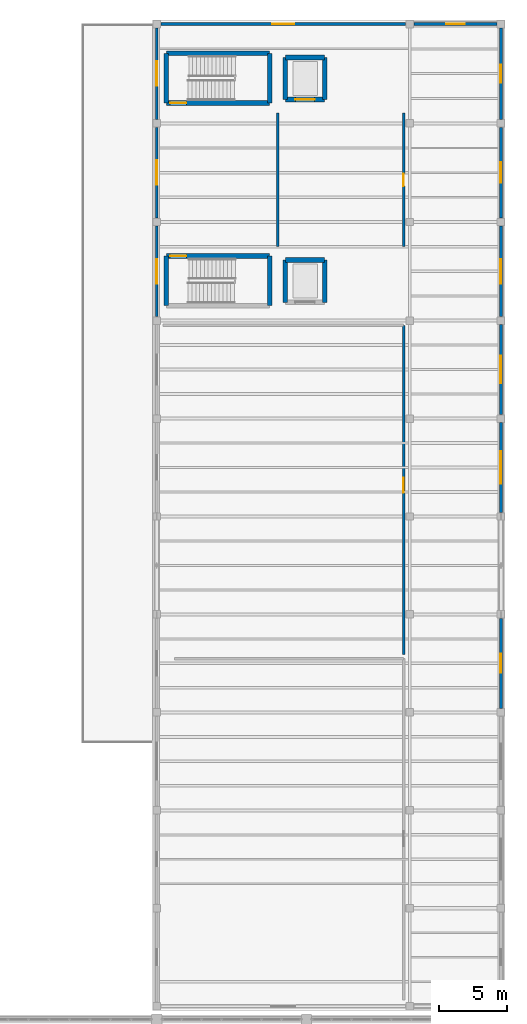
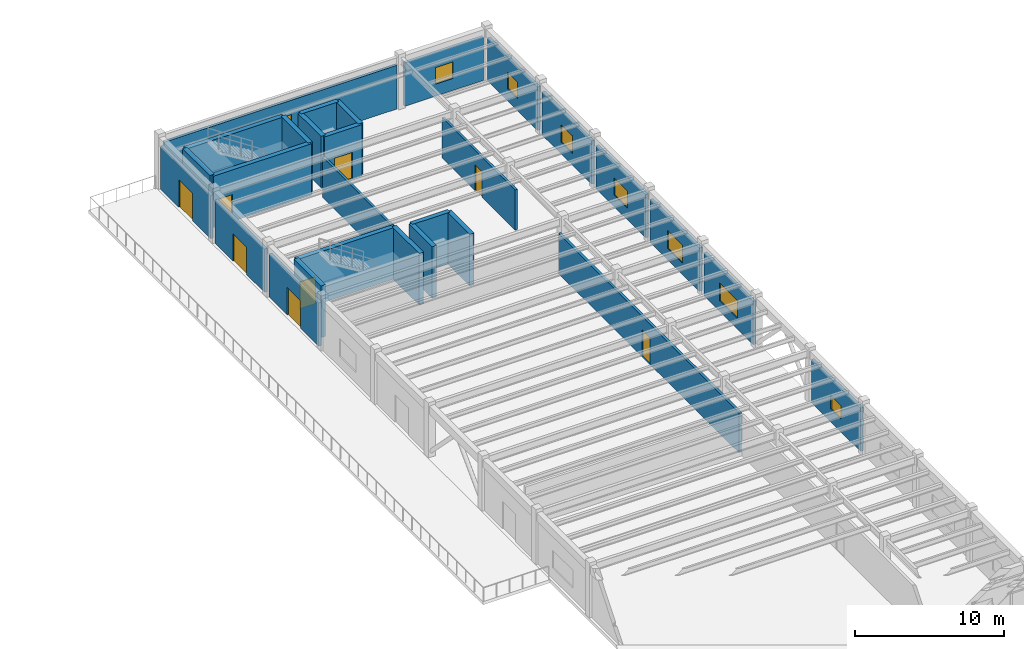
# One storey, part 72 of 85: 28 walls, 8 doors, 8 windows, 16 openings.
"""IFC4 building model written with IfcOpenShell, lengths in metres."""

from ifc_helpers import new_model, si_unit, direction, frame, frame_2d, origin, place, context, subcontext, project, spatial, rectangle, extrude, material, layer, layer_set, type_object, element, fill, save


model = new_model("IFC4")

# Units and contexts
model_context = context("Model", 3, precision=1e-05, world=origin(), true_north=direction((0.0, 1.0)))
body_context = subcontext(model_context, "Body", "Model", "MODEL_VIEW")
ifc_project = project(units=[si_unit("LENGTHUNIT", "METRE"), si_unit("AREAUNIT", "SQUARE_METRE"), si_unit("VOLUMEUNIT", "CUBIC_METRE"), si_unit("PLANEANGLEUNIT", "RADIAN"), si_unit("MASSUNIT", "GRAM", prefix="KILO")], contexts=[model_context])

# Site, building, storey
site_placement = place(None, origin())
site = spatial("IfcSite", under=ifc_project, at=site_placement, CompositionType="ELEMENT")
building_placement = place(site_placement, origin())
building = spatial("IfcBuilding", under=site, at=building_placement, Name="Candilejo Ridge Gondola Terminal", CompositionType="ELEMENT")
storey_placement = place(building_placement, frame((0.0, 0.0, 4.5)))
storey = spatial("IfcBuildingStorey", under=building, at=storey_placement, Name="L01", CompositionType="ELEMENT", Elevation=4.5)

# Wall, opening, window
ifc_material_1 = material(Name="Concrete C20/25 masonry blockwork (f'm 14 MPa)", Category="masonry")
ifc_layer_1 = layer(ifc_material_1, 0.219970703125)
ifc_layer_set_1 = layer_set([ifc_layer_1], Name="ARC-EXT-WALL-220")
wall_type_1 = type_object("IfcWallType", Name="ARC-EXT-WALL-220", PredefinedType="STANDARD", material=ifc_layer_set_1)
wall_1_placement = place(storey_placement, frame((150.300048828125, 120.85009765625, 0.0), z_axis=(0.0, 0.0, 1.0), x_axis=(1.0, 0.0, 0.0)))
wall_1 = element("IfcWall", 1, at=wall_1_placement, inside=storey, type_object=wall_type_1, Name="Exterior facade wall EW-V5-L01-113", PredefinedType="STANDARD", context=body_context, shape_type="SweptSolid", body=[
    extrude(rectangle(XDim=18.0, YDim=0.219970703125, at=frame_2d((9.0, 0.0))), origin(), (0.0, 0.0, 1.0), 3.580078125),
])
opening_1_placement = place(wall_1_placement, frame((8.175048828125, 0.0, 0.949951171875)))
opening_1 = element("IfcOpeningElement", 2, at=opening_1_placement, cuts=wall_1, Name="Opening WN-02C", PredefinedType="OPENING", context=body_context, shape_type="SweptSolid", body=[
    extrude(rectangle(XDim=1.64990234375, YDim=1.449951171875, at=frame_2d((0.824951171875, 0.72509765625))), frame((0.0, 0.119873046875, 0.0), z_axis=(0.0, -1.0, 0.0), x_axis=(1.0, 0.0, 0.0)), (0.0, 0.0, 1.0), 0.239990234375),
])
ifc_material_2 = material(Name="Low-E laminated double glazing 6+12A+6+1.52PVB+6 mm", Category="glass")
window_type_1 = type_object("IfcWindowType", Name="ARC-WIN-1650X1450", PartitioningType="SINGLE_PANEL", PredefinedType="WINDOW", material=ifc_material_2)
window_1_placement = place(opening_1_placement, origin())
window_1 = element("IfcWindow", 3, at=window_1_placement, inside=storey, type_object=window_type_1, Name="Window WIN-055", OverallHeight=1.449951171875, OverallWidth=1.64990234375, PartitioningType="SINGLE_PANEL", PredefinedType="WINDOW", context=body_context, shape_type="SweptSolid", body=[
    extrude(rectangle(XDim=1.64990234375, YDim=1.449951171875, at=frame_2d((0.824951171875, 0.72509765625))), frame((0.0, 0.030029296875, 0.0), z_axis=(0.0, -1.0, 0.0), x_axis=(1.0, 0.0, 0.0)), (0.0, 0.0, 1.0), 0.06005859375),
])
fill(opening_1, window_1)

wall_2_placement = place(storey_placement, frame((168.89990234375, 120.85009765625, 0.0), z_axis=(0.0, 0.0, 1.0), x_axis=(1.0, 0.0, 0.0)))
wall_2 = element("IfcWall", 4, at=wall_2_placement, inside=storey, type_object=wall_type_1, Name="Exterior facade wall EW-V5-L01-116", PredefinedType="STANDARD", context=body_context, shape_type="SweptSolid", body=[
    extrude(rectangle(XDim=6.10009765625, YDim=0.219970703125, at=frame_2d((3.050048828125, 0.0))), origin(), (0.0, 0.0, 1.0), 3.544921875),
])
opening_2_placement = place(wall_2_placement, frame((2.375, 0.0, 0.97998046875)))
opening_2 = element("IfcOpeningElement", 5, at=opening_2_placement, cuts=wall_2, Name="Opening WN-03C", PredefinedType="OPENING", context=body_context, shape_type="SweptSolid", body=[
    extrude(rectangle(XDim=1.35009765625, YDim=1.35009765625, at=frame_2d((0.675048828125, 0.675048828125))), frame((0.0, 0.119873046875, 0.0), z_axis=(0.0, -1.0, 0.0), x_axis=(1.0, 0.0, 0.0)), (0.0, 0.0, 1.0), 0.239990234375),
])
ifc_material_3 = material(Name="Low-E laminated double glazing 6+12A+6+1.52PVB+6 mm", Category="glass")
window_type_2 = type_object("IfcWindowType", Name="ARC-WIN-1350X1350", PartitioningType="SINGLE_PANEL", PredefinedType="WINDOW", material=ifc_material_3)
window_2_placement = place(opening_2_placement, origin())
window_2 = element("IfcWindow", 6, at=window_2_placement, inside=storey, type_object=window_type_2, Name="Window WIN-057", OverallHeight=1.35009765625, OverallWidth=1.35009765625, PartitioningType="SINGLE_PANEL", PredefinedType="WINDOW", context=body_context, shape_type="SweptSolid", body=[
    extrude(rectangle(XDim=1.35009765625, YDim=1.35009765625, at=frame_2d((0.675048828125, 0.675048828125))), frame((0.0, 0.030029296875, 0.0), z_axis=(0.0, -1.0, 0.0), x_axis=(1.0, 0.0, 0.0)), (0.0, 0.0, 1.0), 0.06005859375),
])
fill(opening_2, window_2)

wall_3_placement = place(storey_placement, frame((175.300048828125, 77.14990234375, 0.0), z_axis=(0.0, 0.0, 1.0), x_axis=(0.0, -1.0, 0.0)))
wall_3 = element("IfcWall", 7, at=wall_3_placement, inside=storey, type_object=wall_type_1, Name="Exterior facade wall EW-V5-L01-124", PredefinedType="STANDARD", context=body_context, shape_type="SweptSolid", body=[
    extrude(rectangle(XDim=6.599853515625, YDim=0.219970703125, at=frame_2d((3.2998046875, 0.0))), origin(), (0.0, 0.0, 1.0), 3.544921875),
])
opening_3_placement = place(wall_3_placement, frame((2.60009765625, 0.0, 1.050048828125)))
opening_3 = element("IfcOpeningElement", 8, at=opening_3_placement, cuts=wall_3, Name="Opening WN-05E", PredefinedType="OPENING", context=body_context, shape_type="SweptSolid", body=[
    extrude(rectangle(XDim=1.39990234375, YDim=1.10009765625, at=frame_2d((0.699951171875, 0.550048828125))), frame((0.0, 0.119873046875, 0.0), z_axis=(0.0, -1.0, 0.0), x_axis=(1.0, 0.0, 0.0)), (0.0, 0.0, 1.0), 0.239990234375),
])
ifc_material_4 = material(Name="Low-E laminated double glazing 6+12A+6+1.52PVB+6 mm", Category="glass")
window_type_3 = type_object("IfcWindowType", Name="ARC-WIN-1400X1100", PartitioningType="SINGLE_PANEL", PredefinedType="WINDOW", material=ifc_material_4)
window_3_placement = place(opening_3_placement, origin())
window_3 = element("IfcWindow", 9, at=window_3_placement, inside=storey, type_object=window_type_3, Name="Window WIN-064", OverallHeight=1.10009765625, OverallWidth=1.39990234375, PartitioningType="SINGLE_PANEL", PredefinedType="WINDOW", context=body_context, shape_type="SweptSolid", body=[
    extrude(rectangle(XDim=1.39990234375, YDim=1.10009765625, at=frame_2d((0.699951171875, 0.550048828125))), frame((0.0, 0.030029296875, 0.0), z_axis=(0.0, -1.0, 0.0), x_axis=(1.0, 0.0, 0.0)), (0.0, 0.0, 1.0), 0.06005859375),
])
fill(opening_3, window_3)

wall_4_placement = place(storey_placement, frame((175.300048828125, 91.550048828125, 0.0), z_axis=(0.0, 0.0, 1.0), x_axis=(0.0, -1.0, 0.0)))
wall_4 = element("IfcWall", 10, at=wall_4_placement, inside=storey, type_object=wall_type_1, Name="Exterior facade wall EW-V5-L01-126", PredefinedType="STANDARD", context=body_context, shape_type="SweptSolid", body=[
    extrude(rectangle(XDim=6.60009765625, YDim=0.219970703125, at=frame_2d((3.300048828125, 0.0))), origin(), (0.0, 0.0, 1.0), 3.544921875),
])
opening_4_placement = place(wall_4_placement, frame((2.10009765625, 0.0, 0.8798828125)))
opening_4 = element("IfcOpeningElement", 11, at=opening_4_placement, cuts=wall_4, Name="Opening WN-01", PredefinedType="OPENING", context=body_context, shape_type="SweptSolid", body=[
    extrude(rectangle(XDim=2.39990234375, YDim=1.449951171875, at=frame_2d((1.199951171875, 0.72509765625))), frame((0.0, 0.119873046875, 0.0), z_axis=(0.0, -1.0, 0.0), x_axis=(1.0, 0.0, 0.0)), (0.0, 0.0, 1.0), 0.239990234375),
])
ifc_material_5 = material(Name="Low-E laminated double glazing 6+12A+6+1.52PVB+6 mm", Category="glass")
window_type_4 = type_object("IfcWindowType", Name="ARC-WIN-2400X1650", PartitioningType="SINGLE_PANEL", PredefinedType="WINDOW", material=ifc_material_5)
window_4_placement = place(opening_4_placement, origin())
window_4 = element("IfcWindow", 12, at=window_4_placement, inside=storey, type_object=window_type_4, Name="Window WIN-065", OverallHeight=1.449951171875, OverallWidth=2.39990234375, PartitioningType="SINGLE_PANEL", PredefinedType="WINDOW", context=body_context, shape_type="SweptSolid", body=[
    extrude(rectangle(XDim=2.39990234375, YDim=1.449951171875, at=frame_2d((1.199951171875, 0.72509765625))), frame((0.0, 0.030029296875, 0.0), z_axis=(0.0, -1.0, 0.0), x_axis=(1.0, 0.0, 0.0)), (0.0, 0.0, 1.0), 0.06005859375),
])
fill(opening_4, window_4)

wall_5_placement = place(storey_placement, frame((175.300048828125, 98.75, 0.0), z_axis=(0.0, 0.0, 1.0), x_axis=(0.0, -1.0, 0.0)))
wall_5 = element("IfcWall", 13, at=wall_5_placement, inside=storey, type_object=wall_type_1, Name="Exterior facade wall EW-V5-L01-128", PredefinedType="STANDARD", context=body_context, shape_type="SweptSolid", body=[
    extrude(rectangle(XDim=6.60009765625, YDim=0.219970703125, at=frame_2d((3.300048828125, 0.0))), origin(), (0.0, 0.0, 1.0), 3.544921875),
])
opening_5_placement = place(wall_5_placement, frame((2.300048828125, 0.0, 0.919921875)))
opening_5 = element("IfcOpeningElement", 14, at=opening_5_placement, cuts=wall_5, Name="Opening WN-01C", PredefinedType="OPENING", context=body_context, shape_type="SweptSolid", body=[
    extrude(rectangle(XDim=2.0, YDim=1.5, at=frame_2d((1.0, 0.75))), frame((0.0, 0.119873046875, 0.0), z_axis=(0.0, -1.0, 0.0), x_axis=(1.0, 0.0, 0.0)), (0.0, 0.0, 1.0), 0.239990234375),
])
ifc_material_6 = material(Name="Low-E laminated double glazing 6+12A+6+1.52PVB+6 mm", Category="glass")
window_type_5 = type_object("IfcWindowType", Name="ARC-WIN-2000X1500", PartitioningType="SINGLE_PANEL", PredefinedType="WINDOW", material=ifc_material_6)
window_5_placement = place(opening_5_placement, origin())
window_5 = element("IfcWindow", 15, at=window_5_placement, inside=storey, type_object=window_type_5, Name="Window WIN-067", OverallHeight=1.5, OverallWidth=2.0, PartitioningType="SINGLE_PANEL", PredefinedType="WINDOW", context=body_context, shape_type="SweptSolid", body=[
    extrude(rectangle(XDim=2.0, YDim=1.5, at=frame_2d((1.0, 0.75))), frame((0.0, 0.030029296875, 0.0), z_axis=(0.0, -1.0, 0.0), x_axis=(1.0, 0.0, 0.0)), (0.0, 0.0, 1.0), 0.06005859375),
])
fill(opening_5, window_5)

# Wall, opening, door
wall_6_placement = place(storey_placement, frame((150.0, 99.35009765625, 0.0), z_axis=(0.0, 0.0, 1.0), x_axis=(0.0, 1.0, 0.0)))
wall_6 = element("IfcWall", 16, at=wall_6_placement, inside=storey, type_object=wall_type_1, Name="Exterior facade wall EW-V5-L01-129", PredefinedType="STANDARD", context=body_context, shape_type="SweptSolid", body=[
    extrude(rectangle(XDim=6.64990234375, YDim=0.219970703125, at=frame_2d((3.324951171875, 0.0))), origin(), (0.0, 0.0, 1.0), 3.544921875),
])
opening_6_placement = place(wall_6_placement, frame((2.425048828125, 0.0, 0.0)))
opening_6 = element("IfcOpeningElement", 17, at=opening_6_placement, cuts=wall_6, Name="Opening ED-02", PredefinedType="OPENING", context=body_context, shape_type="SweptSolid", body=[
    extrude(rectangle(XDim=1.800048828125, YDim=2.25, at=frame_2d((0.89990234375, 1.125))), frame((0.0, 0.119873046875, 0.0), z_axis=(0.0, -1.0, 0.0), x_axis=(1.0, 0.0, 0.0)), (0.0, 0.0, 1.0), 0.239990234375),
])
ifc_material_7 = material(Name="Anodised aluminium AA 6063-T6", Category="aluminium")
door_type_1 = type_object("IfcDoorType", Name="ARC-DOOR-EXT-DBL-1800", OperationType="NOTDEFINED", PredefinedType="DOOR", material=ifc_material_7)
door_1_placement = place(opening_6_placement, origin())
door_1 = element("IfcDoor", 18, at=door_1_placement, inside=storey, type_object=door_type_1, Name="Exterior door EDR-022", OperationType="DOUBLE_DOOR_SINGLE_SWING", OverallHeight=2.25, OverallWidth=1.800048828125, PredefinedType="DOOR", context=body_context, shape_type="SweptSolid", body=[
    extrude(rectangle(XDim=1.800048828125, YDim=2.25, at=frame_2d((0.89990234375, 1.125))), frame((0.0, 0.02490234375, 0.0), z_axis=(0.0, -1.0, 0.0), x_axis=(1.0, 0.0, 0.0)), (0.0, 0.0, 1.0), 0.050048828125),
])
fill(opening_6, door_1)

# Wall, opening, window
wall_7_placement = place(storey_placement, frame((175.300048828125, 106.0, 0.0), z_axis=(0.0, 0.0, 1.0), x_axis=(0.0, -1.0, 0.0)))
wall_7 = element("IfcWall", 19, at=wall_7_placement, inside=storey, type_object=wall_type_1, Name="Exterior facade wall EW-V5-L01-130", PredefinedType="STANDARD", context=body_context, shape_type="SweptSolid", body=[
    extrude(rectangle(XDim=6.64990234375, YDim=0.219970703125, at=frame_2d((3.324951171875, 0.0))), origin(), (0.0, 0.0, 1.0), 3.544921875),
])
opening_7_placement = place(wall_7_placement, frame((2.425048828125, 0.0, 0.949951171875)))
opening_7 = element("IfcOpeningElement", 20, at=opening_7_placement, cuts=wall_7, Name="Opening WN-02B", PredefinedType="OPENING", context=body_context, shape_type="SweptSolid", body=[
    extrude(rectangle(XDim=1.800048828125, YDim=1.39990234375, at=frame_2d((0.89990234375, 0.699951171875))), frame((0.0, 0.119873046875, 0.0), z_axis=(0.0, -1.0, 0.0), x_axis=(1.0, 0.0, 0.0)), (0.0, 0.0, 1.0), 0.239990234375),
])
ifc_material_8 = material(Name="Low-E laminated double glazing 6+12A+6+1.52PVB+6 mm", Category="glass")
window_type_6 = type_object("IfcWindowType", Name="ARC-WIN-1800X1400", PartitioningType="SINGLE_PANEL", PredefinedType="WINDOW", material=ifc_material_8)
window_6_placement = place(opening_7_placement, origin())
window_6 = element("IfcWindow", 21, at=window_6_placement, inside=storey, type_object=window_type_6, Name="Window WIN-068", OverallHeight=1.39990234375, OverallWidth=1.800048828125, PartitioningType="SINGLE_PANEL", PredefinedType="WINDOW", context=body_context, shape_type="SweptSolid", body=[
    extrude(rectangle(XDim=1.800048828125, YDim=1.39990234375, at=frame_2d((0.89990234375, 0.699951171875))), frame((0.0, 0.030029296875, 0.0), z_axis=(0.0, -1.0, 0.0), x_axis=(1.0, 0.0, 0.0)), (0.0, 0.0, 1.0), 0.06005859375),
])
fill(opening_7, window_6)

# Wall, opening, door
wall_8_placement = place(storey_placement, frame((150.0, 106.60009765625, 0.0), z_axis=(0.0, 0.0, 1.0), x_axis=(0.0, 1.0, 0.0)))
wall_8 = element("IfcWall", 22, at=wall_8_placement, inside=storey, type_object=wall_type_1, Name="Exterior facade wall EW-V5-L01-131", PredefinedType="STANDARD", context=body_context, shape_type="SweptSolid", body=[
    extrude(rectangle(XDim=6.64990234375, YDim=0.219970703125, at=frame_2d((3.324951171875, 0.0))), origin(), (0.0, 0.0, 1.0), 3.544921875),
])
opening_8_placement = place(wall_8_placement, frame((2.425048828125, 0.0, 0.0)))
opening_8 = element("IfcOpeningElement", 23, at=opening_8_placement, cuts=wall_8, Name="Opening ED-02", PredefinedType="OPENING", context=body_context, shape_type="SweptSolid", body=[
    extrude(rectangle(XDim=1.800048828125, YDim=2.25, at=frame_2d((0.89990234375, 1.125))), frame((0.0, 0.119873046875, 0.0), z_axis=(0.0, -1.0, 0.0), x_axis=(1.0, 0.0, 0.0)), (0.0, 0.0, 1.0), 0.239990234375),
])
door_2_placement = place(opening_8_placement, origin())
door_2 = element("IfcDoor", 24, at=door_2_placement, inside=storey, type_object=door_type_1, Name="Exterior door EDR-023", OperationType="DOUBLE_DOOR_SINGLE_SWING", OverallHeight=2.25, OverallWidth=1.800048828125, PredefinedType="DOOR", context=body_context, shape_type="SweptSolid", body=[
    extrude(rectangle(XDim=1.800048828125, YDim=2.25, at=frame_2d((0.89990234375, 1.125))), frame((0.0, 0.02490234375, 0.0), z_axis=(0.0, -1.0, 0.0), x_axis=(1.0, 0.0, 0.0)), (0.0, 0.0, 1.0), 0.050048828125),
])
fill(opening_8, door_2)

# Wall, opening, window
wall_9_placement = place(storey_placement, frame((175.300048828125, 113.25, 0.0), z_axis=(0.0, 0.0, 1.0), x_axis=(0.0, -1.0, 0.0)))
wall_9 = element("IfcWall", 25, at=wall_9_placement, inside=storey, type_object=wall_type_1, Name="Exterior facade wall EW-V5-L01-132", PredefinedType="STANDARD", context=body_context, shape_type="SweptSolid", body=[
    extrude(rectangle(XDim=6.64990234375, YDim=0.219970703125, at=frame_2d((3.324951171875, 0.0))), origin(), (0.0, 0.0, 1.0), 3.544921875),
])
opening_9_placement = place(wall_9_placement, frame((2.574951171875, 0.0, 0.949951171875)))
opening_9 = element("IfcOpeningElement", 26, at=opening_9_placement, cuts=wall_9, Name="Opening WN-03", PredefinedType="OPENING", context=body_context, shape_type="SweptSolid", body=[
    extrude(rectangle(XDim=1.5, YDim=1.449951171875, at=frame_2d((0.75, 0.72509765625))), frame((0.0, 0.119873046875, 0.0), z_axis=(0.0, -1.0, 0.0), x_axis=(1.0, 0.0, 0.0)), (0.0, 0.0, 1.0), 0.239990234375),
])
ifc_material_9 = material(Name="Low-E laminated double glazing 6+12A+6+1.52PVB+6 mm", Category="glass")
window_type_7 = type_object("IfcWindowType", Name="ARC-WIN-1500X1450", PartitioningType="SINGLE_PANEL", PredefinedType="WINDOW", material=ifc_material_9)
window_7_placement = place(opening_9_placement, origin())
window_7 = element("IfcWindow", 27, at=window_7_placement, inside=storey, type_object=window_type_7, Name="Window WIN-069", OverallHeight=1.449951171875, OverallWidth=1.5, PartitioningType="SINGLE_PANEL", PredefinedType="WINDOW", context=body_context, shape_type="SweptSolid", body=[
    extrude(rectangle(XDim=1.5, YDim=1.449951171875, at=frame_2d((0.75, 0.72509765625))), frame((0.0, 0.030029296875, 0.0), z_axis=(0.0, -1.0, 0.0), x_axis=(1.0, 0.0, 0.0)), (0.0, 0.0, 1.0), 0.06005859375),
])
fill(opening_9, window_7)

# Wall, opening, door
wall_10_placement = place(storey_placement, frame((150.0, 113.85009765625, 0.0), z_axis=(0.0, 0.0, 1.0), x_axis=(0.0, 1.0, 0.0)))
wall_10 = element("IfcWall", 28, at=wall_10_placement, inside=storey, type_object=wall_type_1, Name="Exterior facade wall EW-V5-L01-133", PredefinedType="STANDARD", context=body_context, shape_type="SweptSolid", body=[
    extrude(rectangle(XDim=6.699951171875, YDim=0.219970703125, at=frame_2d((3.35009765625, 0.0))), origin(), (0.0, 0.0, 1.0), 3.544921875),
])
opening_10_placement = place(wall_10_placement, frame((2.449951171875, 0.0, 0.0)))
opening_10 = element("IfcOpeningElement", 29, at=opening_10_placement, cuts=wall_10, Name="Opening ED-02", PredefinedType="OPENING", context=body_context, shape_type="SweptSolid", body=[
    extrude(rectangle(XDim=1.800048828125, YDim=2.25, at=frame_2d((0.89990234375, 1.125))), frame((0.0, 0.119873046875, 0.0), z_axis=(0.0, -1.0, 0.0), x_axis=(1.0, 0.0, 0.0)), (0.0, 0.0, 1.0), 0.239990234375),
])
door_3_placement = place(opening_10_placement, origin())
door_3 = element("IfcDoor", 30, at=door_3_placement, inside=storey, type_object=door_type_1, Name="Exterior door EDR-024", OperationType="DOUBLE_DOOR_SINGLE_SWING", OverallHeight=2.25, OverallWidth=1.800048828125, PredefinedType="DOOR", context=body_context, shape_type="SweptSolid", body=[
    extrude(rectangle(XDim=1.800048828125, YDim=2.25, at=frame_2d((0.89990234375, 1.125))), frame((0.0, 0.02490234375, 0.0), z_axis=(0.0, -1.0, 0.0), x_axis=(1.0, 0.0, 0.0)), (0.0, 0.0, 1.0), 0.050048828125),
])
fill(opening_10, door_3)

# Wall, opening, window
wall_11_placement = place(storey_placement, frame((175.300048828125, 120.550048828125, 0.0), z_axis=(0.0, 0.0, 1.0), x_axis=(0.0, -1.0, 0.0)))
wall_11 = element("IfcWall", 31, at=wall_11_placement, inside=storey, type_object=wall_type_1, Name="Exterior facade wall EW-V5-L01-134", PredefinedType="STANDARD", context=body_context, shape_type="SweptSolid", body=[
    extrude(rectangle(XDim=6.699951171875, YDim=0.219970703125, at=frame_2d((3.35009765625, 0.0))), origin(), (0.0, 0.0, 1.0), 3.544921875),
])
opening_11_placement = place(wall_11_placement, frame((2.675048828125, 0.0, 0.97998046875)))
opening_11 = element("IfcOpeningElement", 32, at=opening_11_placement, cuts=wall_11, Name="Opening WN-03C", PredefinedType="OPENING", context=body_context, shape_type="SweptSolid", body=[
    extrude(rectangle(XDim=1.35009765625, YDim=1.35009765625, at=frame_2d((0.675048828125, 0.675048828125))), frame((0.0, 0.119873046875, 0.0), z_axis=(0.0, -1.0, 0.0), x_axis=(1.0, 0.0, 0.0)), (0.0, 0.0, 1.0), 0.239990234375),
])
window_8_placement = place(opening_11_placement, origin())
window_8 = element("IfcWindow", 33, at=window_8_placement, inside=storey, type_object=window_type_2, Name="Window WIN-070", OverallHeight=1.35009765625, OverallWidth=1.35009765625, PartitioningType="SINGLE_PANEL", PredefinedType="WINDOW", context=body_context, shape_type="SweptSolid", body=[
    extrude(rectangle(XDim=1.35009765625, YDim=1.35009765625, at=frame_2d((0.675048828125, 0.675048828125))), frame((0.0, 0.030029296875, 0.0), z_axis=(0.0, -1.0, 0.0), x_axis=(1.0, 0.0, 0.0)), (0.0, 0.0, 1.0), 0.06005859375),
])
fill(opening_11, window_8)

# Wall, opening, door
ifc_material_10 = material(Name="Concrete C20/25 masonry blockwork (f'm 14 MPa)", Category="masonry")
ifc_layer_2 = layer(ifc_material_10, 0.199951171875)
ifc_layer_set_2 = layer_set([ifc_layer_2], Name="ARC-WALL-CMU200-EI120")
wall_type_2 = type_object("IfcWallType", Name="ARC-WALL-CMU200-EI120", PredefinedType="SOLIDWALL", material=ifc_layer_set_2)
wall_12_placement = place(storey_placement, frame((168.14990234375, 74.5, 0.0), z_axis=(0.0, 0.0, 1.0), x_axis=(0.0, 1.0, 0.0)))
wall_12 = element("IfcWall", 34, at=wall_12_placement, inside=storey, type_object=wall_type_2, Name="Interior partition PT-V5-L01-0067", PredefinedType="SOLIDWALL", context=body_context, shape_type="SweptSolid", body=[
    extrude(rectangle(XDim=24.199951171875, YDim=0.199951171875, at=frame_2d((12.10009765625, 0.0))), origin(), (0.0, 0.0, 1.0), 3.300048828125),
])
opening_12_placement = place(wall_12_placement, frame((11.89990234375, 0.0, 0.0)))
opening_12 = element("IfcOpeningElement", 35, at=opening_12_placement, cuts=wall_12, Name="Opening FD-02A", PredefinedType="OPENING", context=body_context, shape_type="SweptSolid", body=[
    extrude(rectangle(XDim=1.10009765625, YDim=2.199951171875, at=frame_2d((0.550048828125, 1.10009765625))), frame((0.0, 0.10986328125, 0.0), z_axis=(0.0, -1.0, 0.0), x_axis=(1.0, 0.0, 0.0)), (0.0, 0.0, 1.0), 0.219970703125),
])
ifc_material_11 = material(Name="Steel ASTM A653 Grade 33 hollow-metal door", Category="steel")
door_type_2 = type_object("IfcDoorType", Name="ARC-DOOR-FD60-1100", OperationType="NOTDEFINED", PredefinedType="DOOR", material=ifc_material_11)
door_4_placement = place(opening_12_placement, origin())
door_4 = element("IfcDoor", 36, at=door_4_placement, inside=storey, type_object=door_type_2, Name="Interior door IDR-0038 (125)", OperationType="SINGLE_SWING_RIGHT", OverallHeight=2.199951171875, OverallWidth=1.10009765625, PredefinedType="DOOR", context=body_context, shape_type="SweptSolid", body=[
    extrude(rectangle(XDim=1.10009765625, YDim=2.199951171875, at=frame_2d((0.550048828125, 1.10009765625))), frame((0.0, 0.02490234375, 0.0), z_axis=(0.0, -1.0, 0.0), x_axis=(1.0, 0.0, 0.0)), (0.0, 0.0, 1.0), 0.050048828125),
])
fill(opening_12, door_4)

ifc_material_12 = material(Name="Concrete C20/25 masonry blockwork (f'm 14 MPa)", Category="masonry")
ifc_layer_3 = layer(ifc_material_12, 0.179931640625)
ifc_layer_set_3 = layer_set([ifc_layer_3], Name="ARC-WALL-PLUMBING-180")
wall_type_3 = type_object("IfcWallType", Name="ARC-WALL-PLUMBING-180", PredefinedType="PLUMBINGWALL", material=ifc_layer_set_3)
wall_13_placement = place(storey_placement, frame((168.14990234375, 104.5, 0.0), z_axis=(0.0, 0.0, 1.0), x_axis=(0.0, 1.0, 0.0)))
wall_13 = element("IfcWall", 37, at=wall_13_placement, inside=storey, type_object=wall_type_3, Name="Interior partition PT-V5-L01-0069", PredefinedType="PLUMBINGWALL", context=body_context, shape_type="SweptSolid", body=[
    extrude(rectangle(XDim=9.800048828125, YDim=0.179931640625, at=frame_2d((4.89990234375, 0.0))), origin(), (0.0, 0.0, 1.0), 3.300048828125),
])
opening_13_placement = place(wall_13_placement, frame((4.43994140625, 0.0, 0.0)))
opening_13 = element("IfcOpeningElement", 38, at=opening_13_placement, cuts=wall_13, Name="Opening ID-04A", PredefinedType="OPENING", context=body_context, shape_type="SweptSolid", body=[
    extrude(rectangle(XDim=0.919921875, YDim=2.10009765625, at=frame_2d((0.4599609375, 1.050048828125))), frame((0.0, 0.099853515625, 0.0), z_axis=(0.0, -1.0, 0.0), x_axis=(1.0, 0.0, 0.0)), (0.0, 0.0, 1.0), 0.199951171875),
])
ifc_material_13 = material(Name="Solid-core fire-rated hardwood door leaf", Category="wood")
door_type_3 = type_object("IfcDoorType", Name="ARC-DOOR-WC-0920", OperationType="NOTDEFINED", PredefinedType="DOOR", material=ifc_material_13)
door_5_placement = place(opening_13_placement, origin())
door_5 = element("IfcDoor", 39, at=door_5_placement, inside=storey, type_object=door_type_3, Name="Interior door IDR-0039 (127)", OperationType="SINGLE_SWING_LEFT", OverallHeight=2.10009765625, OverallWidth=0.919921875, PredefinedType="DOOR", context=body_context, shape_type="SweptSolid", body=[
    extrude(rectangle(XDim=0.919921875, YDim=2.10009765625, at=frame_2d((0.4599609375, 1.050048828125))), frame((0.0, 0.02490234375, 0.0), z_axis=(0.0, -1.0, 0.0), x_axis=(1.0, 0.0, 0.0)), (0.0, 0.0, 1.0), 0.050048828125),
])
fill(opening_13, door_5)

# Wall
wall_14_placement = place(storey_placement, frame((158.89990234375, 104.5, 0.0), z_axis=(0.0, 0.0, 1.0), x_axis=(0.0, 1.0, 0.0)))
element("IfcWall", 40, at=wall_14_placement, inside=storey, type_object=wall_type_3, Name="Interior partition PT-V5-L01-0070", PredefinedType="PLUMBINGWALL", context=body_context, shape_type="SweptSolid", body=[
    extrude(rectangle(XDim=9.800048828125, YDim=0.179931640625, at=frame_2d((4.89990234375, 0.0))), origin(), (0.0, 0.0, 1.0), 3.300048828125),
])

# Wall, opening, door
ifc_material_14 = material(Name="Concrete f'c 35 MPa (C35/45)", Category="concrete")
ifc_layer_4 = layer(ifc_material_14, 0.35009765625)
ifc_layer_set_4 = layer_set([ifc_layer_4], Name="STR-CORE-WALL-350")
wall_type_4 = type_object("IfcWallType", Name="STR-CORE-WALL-350", PredefinedType="SHEAR", material=ifc_layer_set_4)
wall_15_placement = place(storey_placement, frame((150.699951171875, 103.800048828125, 0.0), z_axis=(0.0, 0.0, 1.0), x_axis=(1.0, 0.0, 0.0)))
wall_15 = element("IfcWall", 41, at=wall_15_placement, inside=storey, type_object=wall_type_4, Name="Core stair shear wall SW-C-V5A-L01-ST-N", PredefinedType="SHEAR", context=body_context, shape_type="SweptSolid", body=[
    extrude(rectangle(XDim=7.60009765625, YDim=0.35009765625, at=frame_2d((3.800048828125, 0.0))), origin(), (0.0, 0.0, 1.0), 4.215087890625),
])
opening_14_placement = place(wall_15_placement, frame((0.280029296875, 0.0, 0.0)))
opening_14 = element("IfcOpeningElement", 42, at=opening_14_placement, cuts=wall_15, Name="Opening FD-01", PredefinedType="OPENING", context=body_context, shape_type="SweptSolid", body=[
    extrude(rectangle(XDim=1.199951171875, YDim=2.199951171875, at=frame_2d((0.60009765625, 1.10009765625))), frame((0.0, 0.18505859375, 0.0), z_axis=(0.0, -1.0, 0.0), x_axis=(1.0, 0.0, 0.0)), (0.0, 0.0, 1.0), 0.3701171875),
])
ifc_material_15 = material(Name="Steel ASTM A653 Grade 33 hollow-metal door", Category="steel")
door_type_4 = type_object("IfcDoorType", Name="ARC-DOOR-FD90-1200", OperationType="NOTDEFINED", PredefinedType="DOOR", material=ifc_material_15)
door_6_placement = place(opening_14_placement, origin())
door_6 = element("IfcDoor", 43, at=door_6_placement, inside=storey, type_object=door_type_4, Name="Fire stair door SDR-033", OperationType="SINGLE_SWING_LEFT", OverallHeight=2.199951171875, OverallWidth=1.199951171875, PredefinedType="DOOR", context=body_context, shape_type="SweptSolid", body=[
    extrude(rectangle(XDim=1.199951171875, YDim=2.199951171875, at=frame_2d((0.60009765625, 1.10009765625))), frame((0.0, 0.02490234375, 0.0), z_axis=(0.0, -1.0, 0.0), x_axis=(1.0, 0.0, 0.0)), (0.0, 0.0, 1.0), 0.050048828125),
])
fill(opening_14, door_6)

# Walls
for number, where, z_axis, x_axis, name in (
    (44, (150.699951171875, 100.14990234375, 0.0), (0.0, 0.0, 1.0), (0.0, 1.0, 0.0), "Core stair shear wall SW-C-V5A-L01-ST-W"),
    (45, (158.300048828125, 103.800048828125, 0.0), (0.0, 0.0, 1.0), (0.0, -1.0, 0.0), "Core stair shear wall SW-C-V5A-L01-ST-E"),
):
    element("IfcWall", number, at=place(storey_placement, frame(where, z_axis=z_axis, x_axis=x_axis)), inside=storey, type_object=wall_type_4, Name=name, PredefinedType="SHEAR", context=body_context, shape_type="SweptSolid", body=[
        extrude(rectangle(XDim=3.650146484375, YDim=0.35009765625, at=frame_2d((1.8251953125, 0.0))), origin(), (0.0, 0.0, 1.0), 4.215087890625),
    ])
wall_16_placement = place(storey_placement, frame((159.449951171875, 103.5, 0.0), z_axis=(0.0, 0.0, 1.0), x_axis=(1.0, 0.0, 0.0)))
element("IfcWall", 46, at=wall_16_placement, inside=storey, type_object=wall_type_4, Name="Lift shaft shear wall SW-C-V5A-L01-LF-N", PredefinedType="SHEAR", context=body_context, shape_type="SweptSolid", body=[
    extrude(rectangle(XDim=2.900146484375, YDim=0.35009765625, at=frame_2d((1.4501953125, 0.0))), origin(), (0.0, 0.0, 1.0), 4.215087890625),
])
for number, where, z_axis, x_axis, name in (
    (47, (159.449951171875, 100.39990234375, 0.0), (0.0, 0.0, 1.0), (0.0, 1.0, 0.0), "Lift shaft shear wall SW-C-V5A-L01-LF-W"),
    (48, (162.35009765625, 100.39990234375, 0.0), (0.0, 0.0, 1.0), (0.0, 1.0, 0.0), "Lift shaft shear wall SW-C-V5A-L01-LF-E"),
):
    element("IfcWall", number, at=place(storey_placement, frame(where, z_axis=z_axis, x_axis=x_axis)), inside=storey, type_object=wall_type_4, Name=name, PredefinedType="SHEAR", context=body_context, shape_type="SweptSolid", body=[
        extrude(rectangle(XDim=3.10009765625, YDim=0.35009765625, at=frame_2d((1.550048828125, 0.0))), origin(), (0.0, 0.0, 1.0), 4.215087890625),
    ])

# Wall, opening, door
wall_17_placement = place(storey_placement, frame((158.300048828125, 115.050048828125, 0.0), z_axis=(0.0, 0.0, 1.0), x_axis=(-1.0, 0.0, 0.0)))
wall_17 = element("IfcWall", 49, at=wall_17_placement, inside=storey, type_object=wall_type_4, Name="Core stair shear wall SW-C-V5B-L01-ST-S", PredefinedType="SHEAR", context=body_context, shape_type="SweptSolid", body=[
    extrude(rectangle(XDim=7.60009765625, YDim=0.35009765625, at=frame_2d((3.800048828125, 0.0))), origin(), (0.0, 0.0, 1.0), 4.215087890625),
])
opening_15_placement = place(wall_17_placement, frame((6.1201171875, 0.0, 0.0)))
opening_15 = element("IfcOpeningElement", 50, at=opening_15_placement, cuts=wall_17, Name="Opening FD-01", PredefinedType="OPENING", context=body_context, shape_type="SweptSolid", body=[
    extrude(rectangle(XDim=1.199951171875, YDim=2.199951171875, at=frame_2d((0.60009765625, 1.10009765625))), frame((0.0, 0.18505859375, 0.0), z_axis=(0.0, -1.0, 0.0), x_axis=(1.0, 0.0, 0.0)), (0.0, 0.0, 1.0), 0.3701171875),
])
door_7_placement = place(opening_15_placement, origin())
door_7 = element("IfcDoor", 51, at=door_7_placement, inside=storey, type_object=door_type_4, Name="Fire stair door SDR-038", OperationType="SINGLE_SWING_RIGHT", OverallHeight=2.199951171875, OverallWidth=1.199951171875, PredefinedType="DOOR", context=body_context, shape_type="SweptSolid", body=[
    extrude(rectangle(XDim=1.199951171875, YDim=2.199951171875, at=frame_2d((0.60009765625, 1.10009765625))), frame((0.0, 0.02490234375, 0.0), z_axis=(0.0, -1.0, 0.0), x_axis=(1.0, 0.0, 0.0)), (0.0, 0.0, 1.0), 0.050048828125),
])
fill(opening_15, door_7)

# Walls
wall_18_placement = place(storey_placement, frame((150.699951171875, 118.699951171875, 0.0), z_axis=(0.0, 0.0, 1.0), x_axis=(1.0, 0.0, 0.0)))
element("IfcWall", 52, at=wall_18_placement, inside=storey, type_object=wall_type_4, Name="Core stair shear wall SW-C-V5B-L01-ST-N", PredefinedType="SHEAR", context=body_context, shape_type="SweptSolid", body=[
    extrude(rectangle(XDim=7.60009765625, YDim=0.35009765625, at=frame_2d((3.800048828125, 0.0))), origin(), (0.0, 0.0, 1.0), 4.215087890625),
])
for number, where, z_axis, x_axis, name in (
    (53, (150.699951171875, 115.050048828125, 0.0), (0.0, 0.0, 1.0), (0.0, 1.0, 0.0), "Core stair shear wall SW-C-V5B-L01-ST-W"),
    (54, (158.300048828125, 118.699951171875, 0.0), (0.0, 0.0, 1.0), (0.0, -1.0, 0.0), "Core stair shear wall SW-C-V5B-L01-ST-E"),
):
    element("IfcWall", number, at=place(storey_placement, frame(where, z_axis=z_axis, x_axis=x_axis)), inside=storey, type_object=wall_type_4, Name=name, PredefinedType="SHEAR", context=body_context, shape_type="SweptSolid", body=[
        extrude(rectangle(XDim=3.64990234375, YDim=0.35009765625, at=frame_2d((1.824951171875, 0.0))), origin(), (0.0, 0.0, 1.0), 4.215087890625),
    ])

# Wall, opening, door
wall_19_placement = place(storey_placement, frame((159.449951171875, 115.300048828125, 0.0), z_axis=(0.0, 0.0, 1.0), x_axis=(1.0, 0.0, 0.0)))
wall_19 = element("IfcWall", 55, at=wall_19_placement, inside=storey, type_object=wall_type_4, Name="Lift shaft shear wall SW-C-V5B-L01-LF-S", PredefinedType="SHEAR", context=body_context, shape_type="SweptSolid", body=[
    extrude(rectangle(XDim=2.900146484375, YDim=0.35009765625, at=frame_2d((1.4501953125, 0.0))), origin(), (0.0, 0.0, 1.0), 4.215087890625),
])
opening_16_placement = place(wall_19_placement, frame((0.75, 0.0, 0.0)))
opening_16 = element("IfcOpeningElement", 56, at=opening_16_placement, cuts=wall_19, Name="Opening LD-02", PredefinedType="OPENING", context=body_context, shape_type="SweptSolid", body=[
    extrude(rectangle(XDim=1.39990234375, YDim=2.199951171875, at=frame_2d((0.699951171875, 1.10009765625))), frame((0.0, 0.18505859375, 0.0), z_axis=(0.0, -1.0, 0.0), x_axis=(1.0, 0.0, 0.0)), (0.0, 0.0, 1.0), 0.3701171875),
])
ifc_material_16 = material(Name="Brushed stainless steel AISI 316", Category="steel")
door_type_5 = type_object("IfcDoorType", Name="ARC-LIFT-DOOR-1400", OperationType="NOTDEFINED", PredefinedType="DOOR", material=ifc_material_16)
door_8_placement = place(opening_16_placement, origin())
door_8 = element("IfcDoor", 57, at=door_8_placement, inside=storey, type_object=door_type_5, Name="Elevator landing door LDR-038", OperationType="SLIDING_TO_LEFT", OverallHeight=2.199951171875, OverallWidth=1.39990234375, PredefinedType="DOOR", context=body_context, shape_type="SweptSolid", body=[
    extrude(rectangle(XDim=1.39990234375, YDim=2.199951171875, at=frame_2d((0.699951171875, 1.10009765625))), frame((0.0, 0.02490234375, 0.0), z_axis=(0.0, -1.0, 0.0), x_axis=(1.0, 0.0, 0.0)), (0.0, 0.0, 1.0), 0.050048828125),
])
fill(opening_16, door_8)

# Walls
wall_20_placement = place(storey_placement, frame((159.449951171875, 118.39990234375, 0.0), z_axis=(0.0, 0.0, 1.0), x_axis=(1.0, 0.0, 0.0)))
element("IfcWall", 58, at=wall_20_placement, inside=storey, type_object=wall_type_4, Name="Lift shaft shear wall SW-C-V5B-L01-LF-N", PredefinedType="SHEAR", context=body_context, shape_type="SweptSolid", body=[
    extrude(rectangle(XDim=2.900146484375, YDim=0.35009765625, at=frame_2d((1.4501953125, 0.0))), origin(), (0.0, 0.0, 1.0), 4.215087890625),
])
for number, where, z_axis, x_axis, name in (
    (59, (159.449951171875, 115.300048828125, 0.0), (0.0, 0.0, 1.0), (0.0, 1.0, 0.0), "Lift shaft shear wall SW-C-V5B-L01-LF-W"),
    (60, (162.35009765625, 115.300048828125, 0.0), (0.0, 0.0, 1.0), (0.0, 1.0, 0.0), "Lift shaft shear wall SW-C-V5B-L01-LF-E"),
):
    element("IfcWall", number, at=place(storey_placement, frame(where, z_axis=z_axis, x_axis=x_axis)), inside=storey, type_object=wall_type_4, Name=name, PredefinedType="SHEAR", context=body_context, shape_type="SweptSolid", body=[
        extrude(rectangle(XDim=3.099853515625, YDim=0.35009765625, at=frame_2d((1.5498046875, 0.0))), origin(), (0.0, 0.0, 1.0), 4.215087890625),
    ])

save(model, "model.ifc")
